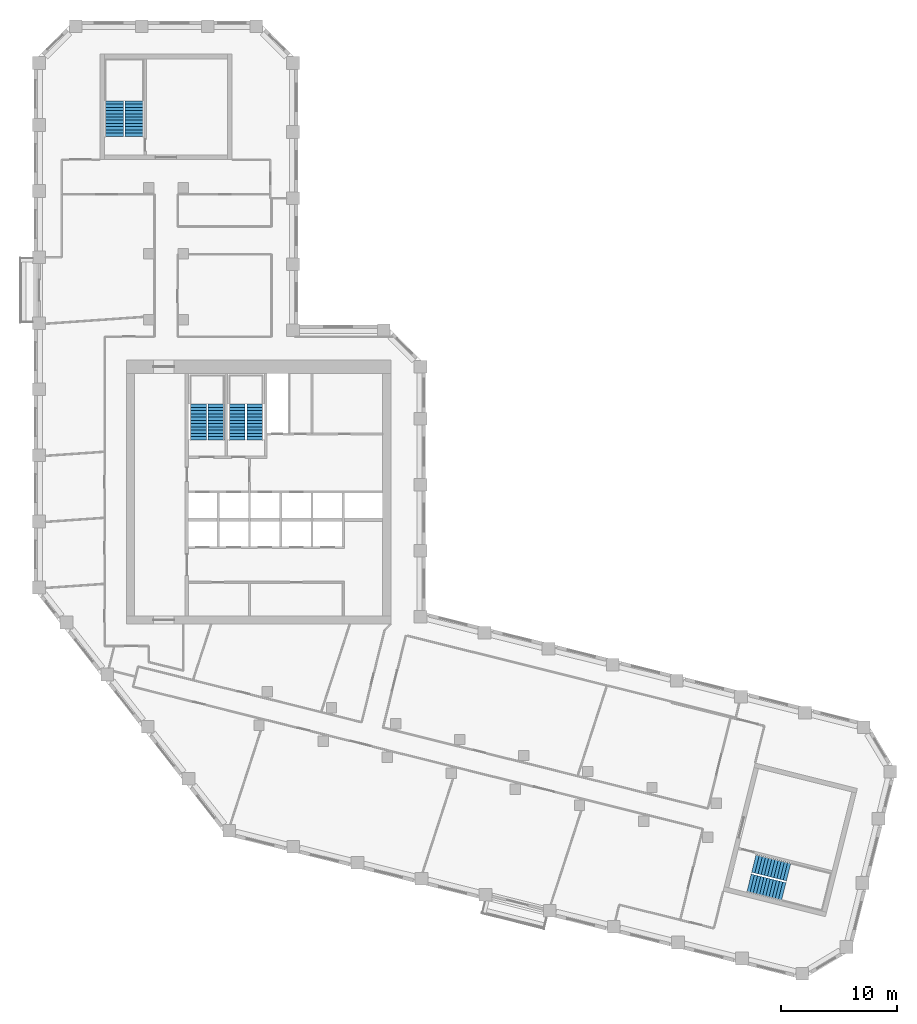
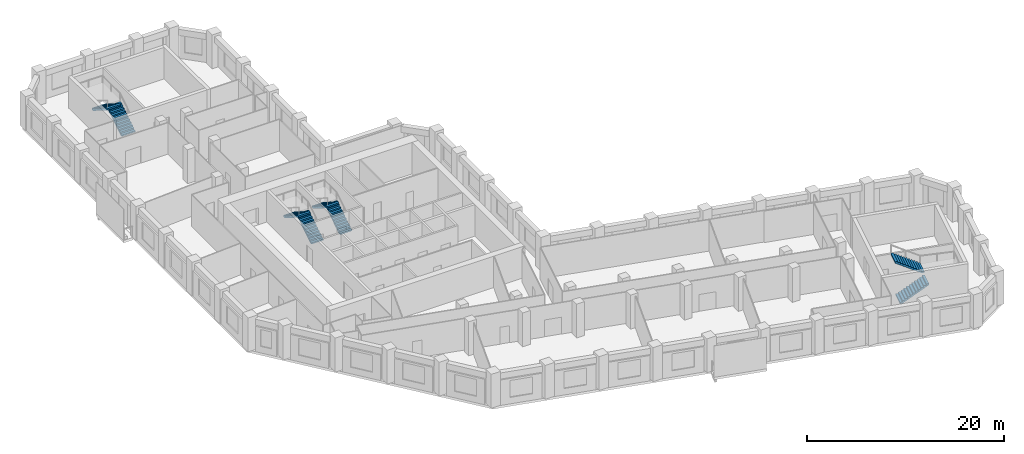
# One storey, part 9 of 10: 8 stair flights, 4 elements without a shape of their own.
"""IFC4 building model written with IfcOpenShell, lengths in metres."""

from ifc_helpers import new_model, si_unit, direction, frame, origin, place, context, subcontext, project, spatial, polyline, outline, extrude, material, type_object, element, aggregate, save


model = new_model("IFC4")

# Units and contexts
model_context = context("Model", 3, precision=1e-05, world=origin(), true_north=direction((0.0, 1.0)))
body_context = subcontext(model_context, "Body", "Model", "MODEL_VIEW")
ifc_project = project(units=[si_unit("LENGTHUNIT", "METRE"), si_unit("AREAUNIT", "SQUARE_METRE"), si_unit("VOLUMEUNIT", "CUBIC_METRE"), si_unit("PLANEANGLEUNIT", "RADIAN"), si_unit("MASSUNIT", "GRAM", prefix="KILO")], contexts=[model_context])

# Site, building, storey
site_placement = place(None, origin())
site = spatial("IfcSite", under=ifc_project, at=site_placement, CompositionType="ELEMENT")
building_placement = place(site_placement, origin())
building = spatial("IfcBuilding", under=site, at=building_placement, Name="Meshkara Civic Tower", CompositionType="ELEMENT")
storey_placement = place(building_placement, frame((0.0, 0.0, 246.60009765625)))
storey = spatial("IfcBuildingStorey", under=building, at=storey_placement, Name="L56", CompositionType="ELEMENT", Elevation=246.60009765625)

# Stair, stair flights
ifc_material_1 = material(Name="Precast concrete C40/50", Category="concrete")
stair_type_1 = type_object("IfcStairType", Name="Exit stair half-turn 24 risers 1600 precast", PredefinedType="HALF_TURN_STAIR", material=ifc_material_1)
stair_1_placement = place(storey_placement, origin())
stair_1 = element("IfcStair", 1, at=stair_1_placement, inside=storey, type_object=stair_type_1, Name="L56 exit stair A from L50", PredefinedType="HALF_TURN_STAIR")
ifc_material_2 = material(Name="Precast concrete C40/50", Category="concrete")
stair_flight_type_1 = type_object("IfcStairFlightType", Name="Exit stair flight 12 risers 1600 precast", PredefinedType="STRAIGHT", material=ifc_material_2)
stair_flight_1_placement = place(storey_placement, frame((8.675048828125, 56.169921875, 0.0), z_axis=(0.0, 0.0, 1.0), x_axis=(0.0, 1.0, 0.0)))
stair_flight_1 = element("IfcStairFlight", 2, at=stair_flight_1_placement, type_object=stair_flight_type_1, Name="ESA4 flight 1", NumberOfRisers=12, NumberOfTreads=11, PredefinedType="STRAIGHT", RiserHeight=0.175, TreadLength=0.28, context=body_context, shape_type="SweptSolid", body=[
    extrude(outline(polyline([(0.0, 0.0), (0.0, 0.175048828125), (0.280029296875, 0.175048828125), (0.280029296875, 0.35009765625), (0.56005859375, 0.35009765625), (0.56005859375, 0.52490234375), (0.840087890625, 0.52490234375), (0.840087890625, 0.699951171875), (1.1201171875, 0.699951171875), (1.1201171875, 0.875), (1.39990234375, 0.875), (1.39990234375, 1.050048828125), (1.679931640625, 1.050048828125), (1.679931640625, 1.22509765625), (1.9599609375, 1.22509765625), (1.9599609375, 1.39990234375), (2.239990234375, 1.39990234375), (2.239990234375, 1.574951171875), (2.52001953125, 1.574951171875), (2.52001953125, 1.75), (2.800048828125, 1.75), (2.800048828125, 1.925048828125), (3.080078125, 1.925048828125), (3.080078125, 2.10009765625), (3.080078125, 1.748291015625), (0.28271484375, 0.0), (0.0, 0.0)])), frame((0.0, 0.800048828125, 0.0), z_axis=(0.0, -1.0, 0.0), x_axis=(1.0, 0.0, 0.0)), (0.0, 0.0, 1.0), 1.60009765625),
])
stair_flight_2_placement = place(storey_placement, frame((6.925048828125, 59.25, 2.099853515625), z_axis=(0.0, 0.0, 1.0), x_axis=(0.0, -1.0, 0.0)))
stair_flight_2 = element("IfcStairFlight", 3, at=stair_flight_2_placement, type_object=stair_flight_type_1, Name="ESA4 flight 2", NumberOfRisers=12, NumberOfTreads=11, PredefinedType="STRAIGHT", RiserHeight=0.175, TreadLength=0.28, context=body_context, shape_type="SweptSolid", body=[
    extrude(outline(polyline([(0.0, 0.0), (0.0, 0.175048828125), (0.280029296875, 0.175048828125), (0.280029296875, 0.35009765625), (0.56005859375, 0.35009765625), (0.56005859375, 0.52490234375), (0.840087890625, 0.52490234375), (0.840087890625, 0.699951171875), (1.1201171875, 0.699951171875), (1.1201171875, 0.875), (1.39990234375, 0.875), (1.39990234375, 1.050048828125), (1.679931640625, 1.050048828125), (1.679931640625, 1.22509765625), (1.9599609375, 1.22509765625), (1.9599609375, 1.39990234375), (2.239990234375, 1.39990234375), (2.239990234375, 1.574951171875), (2.52001953125, 1.574951171875), (2.52001953125, 1.75), (2.800048828125, 1.75), (2.800048828125, 1.925048828125), (3.080078125, 1.925048828125), (3.080078125, 2.10009765625), (3.080078125, 1.748291015625), (0.28271484375, 0.0), (0.0, 0.0)])), frame((0.0, 0.800048828125, 0.0), z_axis=(0.0, -1.0, 0.0), x_axis=(1.0, 0.0, 0.0)), (0.0, 0.0, 1.0), 1.60009765625),
])
aggregate(stair_1, [stair_flight_1, stair_flight_2])

stair_2_placement = place(storey_placement, origin())
stair_2 = element("IfcStair", 4, at=stair_2_placement, inside=storey, type_object=stair_type_1, Name="L56 exit stair B from L50", PredefinedType="HALF_TURN_STAIR")
stair_flight_3_placement = place(storey_placement, frame((61.70751953125, -8.248291015625, 0.0), z_axis=(0.0, 0.0, 1.0), x_axis=(0.970260066579, -0.242064873955, 0.0)))
stair_flight_3 = element("IfcStairFlight", 5, at=stair_flight_3_placement, type_object=stair_flight_type_1, Name="ESB4 flight 1", NumberOfRisers=12, NumberOfTreads=11, PredefinedType="STRAIGHT", RiserHeight=0.175, TreadLength=0.28, context=body_context, shape_type="SweptSolid", body=[
    extrude(outline(polyline([(0.0, 0.0), (0.0, 0.175048828125), (0.280029296875, 0.175048828125), (0.280029296875, 0.35009765625), (0.56005859375, 0.35009765625), (0.56005859375, 0.52490234375), (0.840087890625, 0.52490234375), (0.840087890625, 0.699951171875), (1.1201171875, 0.699951171875), (1.1201171875, 0.875), (1.39990234375, 0.875), (1.39990234375, 1.050048828125), (1.679931640625, 1.050048828125), (1.679931640625, 1.22509765625), (1.9599609375, 1.22509765625), (1.9599609375, 1.39990234375), (2.239990234375, 1.39990234375), (2.239990234375, 1.574951171875), (2.52001953125, 1.574951171875), (2.52001953125, 1.75), (2.800048828125, 1.75), (2.800048828125, 1.925048828125), (3.080078125, 1.925048828125), (3.080078125, 2.10009765625), (3.080078125, 1.748291015625), (0.28271484375, 0.0), (0.0, 0.0)])), frame((0.0, 0.800048828125, 0.0), z_axis=(0.0, -1.0, 0.0), x_axis=(1.0, 0.0, 0.0)), (0.0, 0.0, 1.0), 1.60009765625),
])
stair_flight_4_placement = place(storey_placement, frame((65.11962890625, -7.2958984375, 2.099853515625), z_axis=(0.0, 0.0, 1.0), x_axis=(-0.970260066579, 0.242064873955, 0.0)))
stair_flight_4 = element("IfcStairFlight", 6, at=stair_flight_4_placement, type_object=stair_flight_type_1, Name="ESB4 flight 2", NumberOfRisers=12, NumberOfTreads=11, PredefinedType="STRAIGHT", RiserHeight=0.175, TreadLength=0.28, context=body_context, shape_type="SweptSolid", body=[
    extrude(outline(polyline([(0.0, 0.0), (0.0, 0.175048828125), (0.280029296875, 0.175048828125), (0.280029296875, 0.35009765625), (0.56005859375, 0.35009765625), (0.56005859375, 0.52490234375), (0.840087890625, 0.52490234375), (0.840087890625, 0.699951171875), (1.1201171875, 0.699951171875), (1.1201171875, 0.875), (1.39990234375, 0.875), (1.39990234375, 1.050048828125), (1.679931640625, 1.050048828125), (1.679931640625, 1.22509765625), (1.9599609375, 1.22509765625), (1.9599609375, 1.39990234375), (2.239990234375, 1.39990234375), (2.239990234375, 1.574951171875), (2.52001953125, 1.574951171875), (2.52001953125, 1.75), (2.800048828125, 1.75), (2.800048828125, 1.925048828125), (3.080078125, 1.925048828125), (3.080078125, 2.10009765625), (3.080078125, 1.748291015625), (0.28271484375, 0.0), (0.0, 0.0)])), frame((0.0, 0.800048828125, 0.0), z_axis=(0.0, -1.0, 0.0), x_axis=(1.0, 0.0, 0.0)), (0.0, 0.0, 1.0), 1.60009765625),
])
aggregate(stair_2, [stair_flight_3, stair_flight_4])

ifc_material_3 = material(Name="Precast concrete C40/50", Category="concrete")
stair_type_2 = type_object("IfcStairType", Name="Exit stair half-turn 24 risers precast", PredefinedType="HALF_TURN_STAIR", material=ifc_material_3)
stair_3_placement = place(storey_placement, origin())
stair_3 = element("IfcStair", 7, at=stair_3_placement, inside=storey, type_object=stair_type_2, Name="L56 exit stair 1", PredefinedType="HALF_TURN_STAIR")
ifc_material_4 = material(Name="Precast concrete C40/50", Category="concrete")
stair_flight_type_2 = type_object("IfcStairFlightType", Name="Exit stair flight 12 risers precast", PredefinedType="STRAIGHT", material=ifc_material_4)
stair_flight_5_placement = place(storey_placement, frame((15.72509765625, 30.0, 0.0), z_axis=(0.0, 0.0, 1.0), x_axis=(0.0, 1.0, 0.0)))
stair_flight_5 = element("IfcStairFlight", 8, at=stair_flight_5_placement, type_object=stair_flight_type_2, Name="ST1 flight 1", NumberOfRisers=12, NumberOfTreads=11, PredefinedType="STRAIGHT", RiserHeight=0.175, TreadLength=0.28, context=body_context, shape_type="SweptSolid", body=[
    extrude(outline(polyline([(0.0, 0.0), (0.0, 0.175048828125), (0.280029296875, 0.175048828125), (0.280029296875, 0.35009765625), (0.56005859375, 0.35009765625), (0.56005859375, 0.52490234375), (0.840087890625, 0.52490234375), (0.840087890625, 0.699951171875), (1.1201171875, 0.699951171875), (1.1201171875, 0.875), (1.39990234375, 0.875), (1.39990234375, 1.050048828125), (1.679931640625, 1.050048828125), (1.679931640625, 1.22509765625), (1.9599609375, 1.22509765625), (1.9599609375, 1.39990234375), (2.239990234375, 1.39990234375), (2.239990234375, 1.574951171875), (2.52001953125, 1.574951171875), (2.52001953125, 1.75), (2.800048828125, 1.75), (2.800048828125, 1.925048828125), (3.080078125, 1.925048828125), (3.080078125, 2.10009765625), (3.080078125, 1.748291015625), (0.28271484375, 0.0), (0.0, 0.0)])), frame((0.0, 0.699951171875, 0.0), z_axis=(0.0, -1.0, 0.0), x_axis=(1.0, 0.0, 0.0)), (0.0, 0.0, 1.0), 1.39990234375),
])
stair_flight_6_placement = place(storey_placement, frame((14.175048828125, 33.080078125, 2.099853515625), z_axis=(0.0, 0.0, 1.0), x_axis=(0.0, -1.0, 0.0)))
stair_flight_6 = element("IfcStairFlight", 9, at=stair_flight_6_placement, type_object=stair_flight_type_2, Name="ST1 flight 2", NumberOfRisers=12, NumberOfTreads=11, PredefinedType="STRAIGHT", RiserHeight=0.175, TreadLength=0.28, context=body_context, shape_type="SweptSolid", body=[
    extrude(outline(polyline([(0.0, 0.0), (0.0, 0.175048828125), (0.280029296875, 0.175048828125), (0.280029296875, 0.35009765625), (0.56005859375, 0.35009765625), (0.56005859375, 0.52490234375), (0.840087890625, 0.52490234375), (0.840087890625, 0.699951171875), (1.1201171875, 0.699951171875), (1.1201171875, 0.875), (1.39990234375, 0.875), (1.39990234375, 1.050048828125), (1.679931640625, 1.050048828125), (1.679931640625, 1.22509765625), (1.9599609375, 1.22509765625), (1.9599609375, 1.39990234375), (2.239990234375, 1.39990234375), (2.239990234375, 1.574951171875), (2.52001953125, 1.574951171875), (2.52001953125, 1.75), (2.800048828125, 1.75), (2.800048828125, 1.925048828125), (3.080078125, 1.925048828125), (3.080078125, 2.10009765625), (3.080078125, 1.748291015625), (0.28271484375, 0.0), (0.0, 0.0)])), frame((0.0, 0.699951171875, 0.0), z_axis=(0.0, -1.0, 0.0), x_axis=(1.0, 0.0, 0.0)), (0.0, 0.0, 1.0), 1.39990234375),
])
aggregate(stair_3, [stair_flight_5, stair_flight_6])

stair_4_placement = place(storey_placement, origin())
stair_4 = element("IfcStair", 10, at=stair_4_placement, inside=storey, type_object=stair_type_2, Name="L56 exit stair 2", PredefinedType="HALF_TURN_STAIR")
stair_flight_7_placement = place(storey_placement, frame((19.074951171875, 30.0, 0.0), z_axis=(0.0, 0.0, 1.0), x_axis=(0.0, 1.0, 0.0)))
stair_flight_7 = element("IfcStairFlight", 11, at=stair_flight_7_placement, type_object=stair_flight_type_2, Name="ST2 flight 1", NumberOfRisers=12, NumberOfTreads=11, PredefinedType="STRAIGHT", RiserHeight=0.175, TreadLength=0.28, context=body_context, shape_type="SweptSolid", body=[
    extrude(outline(polyline([(0.0, 0.0), (0.0, 0.175048828125), (0.280029296875, 0.175048828125), (0.280029296875, 0.35009765625), (0.56005859375, 0.35009765625), (0.56005859375, 0.52490234375), (0.840087890625, 0.52490234375), (0.840087890625, 0.699951171875), (1.1201171875, 0.699951171875), (1.1201171875, 0.875), (1.39990234375, 0.875), (1.39990234375, 1.050048828125), (1.679931640625, 1.050048828125), (1.679931640625, 1.22509765625), (1.9599609375, 1.22509765625), (1.9599609375, 1.39990234375), (2.239990234375, 1.39990234375), (2.239990234375, 1.574951171875), (2.52001953125, 1.574951171875), (2.52001953125, 1.75), (2.800048828125, 1.75), (2.800048828125, 1.925048828125), (3.080078125, 1.925048828125), (3.080078125, 2.10009765625), (3.080078125, 1.748291015625), (0.28271484375, 0.0), (0.0, 0.0)])), frame((0.0, 0.699951171875, 0.0), z_axis=(0.0, -1.0, 0.0), x_axis=(1.0, 0.0, 0.0)), (0.0, 0.0, 1.0), 1.39990234375),
])
stair_flight_8_placement = place(storey_placement, frame((17.52490234375, 33.080078125, 2.099853515625), z_axis=(0.0, 0.0, 1.0), x_axis=(0.0, -1.0, 0.0)))
stair_flight_8 = element("IfcStairFlight", 12, at=stair_flight_8_placement, type_object=stair_flight_type_2, Name="ST2 flight 2", NumberOfRisers=12, NumberOfTreads=11, PredefinedType="STRAIGHT", RiserHeight=0.175, TreadLength=0.28, context=body_context, shape_type="SweptSolid", body=[
    extrude(outline(polyline([(0.0, 0.0), (0.0, 0.175048828125), (0.280029296875, 0.175048828125), (0.280029296875, 0.35009765625), (0.56005859375, 0.35009765625), (0.56005859375, 0.52490234375), (0.840087890625, 0.52490234375), (0.840087890625, 0.699951171875), (1.1201171875, 0.699951171875), (1.1201171875, 0.875), (1.39990234375, 0.875), (1.39990234375, 1.050048828125), (1.679931640625, 1.050048828125), (1.679931640625, 1.22509765625), (1.9599609375, 1.22509765625), (1.9599609375, 1.39990234375), (2.239990234375, 1.39990234375), (2.239990234375, 1.574951171875), (2.52001953125, 1.574951171875), (2.52001953125, 1.75), (2.800048828125, 1.75), (2.800048828125, 1.925048828125), (3.080078125, 1.925048828125), (3.080078125, 2.10009765625), (3.080078125, 1.748291015625), (0.28271484375, 0.0), (0.0, 0.0)])), frame((0.0, 0.699951171875, 0.0), z_axis=(0.0, -1.0, 0.0), x_axis=(1.0, 0.0, 0.0)), (0.0, 0.0, 1.0), 1.39990234375),
])
aggregate(stair_4, [stair_flight_7, stair_flight_8])

save(model, "model.ifc")
